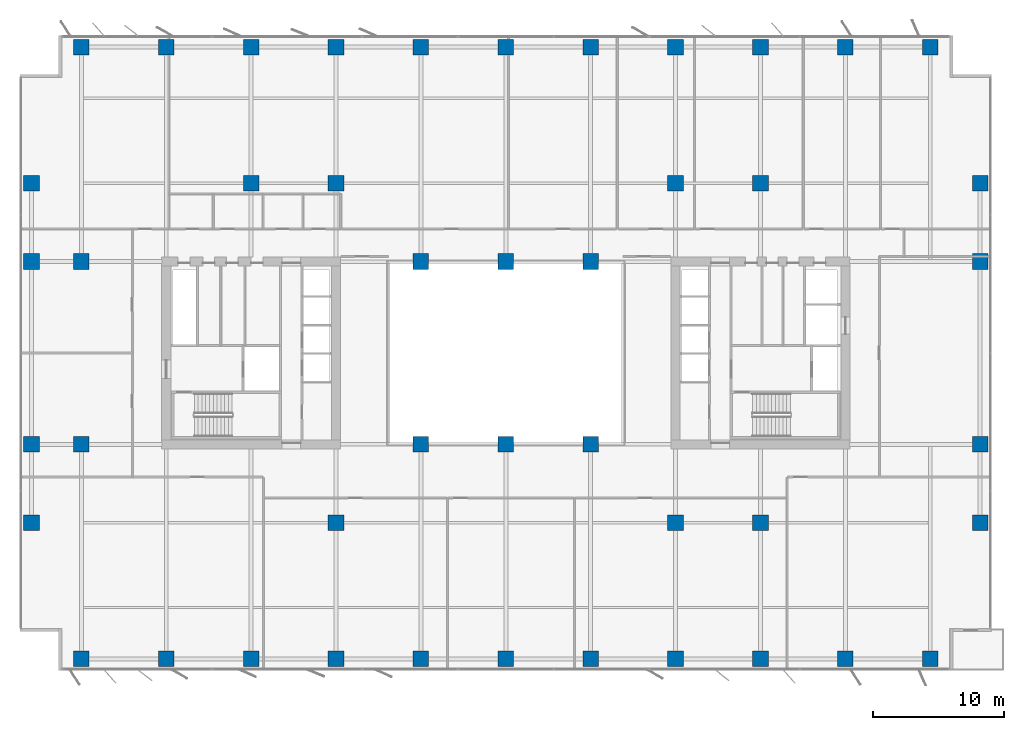
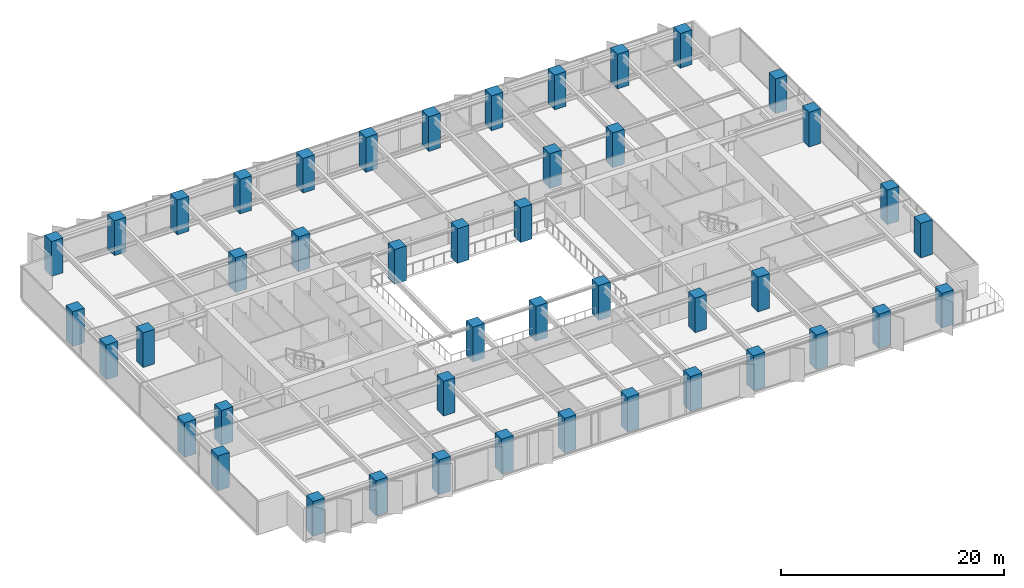
# One storey, part 1 of 20: 45 columns.
"""IFC4 building model written with IfcOpenShell, lengths in metres."""

import ifcopenshell
import ifcopenshell.guid

model = None  # the IFC model being written
_history = None  # IfcOwnerHistory: only IFC2X3 demands one
_inside = {}  # id of a spatial element -> (the spatial element, [elements in it])
_under = {}  # id of a project, library or spatial element -> (it, [spatial elements below it])
_declared = {}  # id of a project -> (the project, [libraries it declares])
_typed = {}  # id of a type object -> (the type object, [elements of that type])
_made_of = {}  # id of a material, layer set ... -> (it, [elements and type objects made of it])


def new_model(schema):
    """Start an empty IFC model of exactly this schema.

    Asked for "IFC4X3", IfcOpenShell would pick the latest addendum, in which some entities
    have other attributes; the version numbers below select the first issue.
    IFC2X3 requires an IfcOwnerHistory on every rooted entity: one is made here for all.
    """
    global model, _history
    if schema == "IFC4X3":
        model = ifcopenshell.file(schema_version=(4, 3, 0, 0))
    else:
        model = ifcopenshell.file(schema=schema)
    _inside.clear()
    _under.clear()
    _declared.clear()
    _typed.clear()
    _made_of.clear()
    _history = None
    if model.schema == "IFC2X3":
        org = make("IfcOrganization", Name="unknown")
        user = make(
            "IfcPersonAndOrganization",
            ThePerson=make("IfcPerson", FamilyName="unknown"),
            TheOrganization=org,
        )
        app = make(
            "IfcApplication",
            ApplicationDeveloper=org,
            Version="unknown",
            ApplicationFullName="unknown",
            ApplicationIdentifier="unknown",
        )
        _history = make(
            "IfcOwnerHistory",
            OwningUser=user,
            OwningApplication=app,
            ChangeAction="ADDED",
            CreationDate=0,
        )
    return model


def make(cls, **values):
    """One entity of the class cls with the attributes given. An attribute that is None is left unset."""
    return model.create_entity(
        cls, **{name: value for name, value in values.items() if value is not None}
    )


def rooted(cls, **values):
    """An entity with a GlobalId (a new one), such as an element, a storey or a relation."""
    return make(cls, GlobalId=ifcopenshell.guid.new(), OwnerHistory=_history, **values)


def si_unit(unit_type, name, prefix=None):
    """IfcSIUnit, for example si_unit("LENGTHUNIT", "METRE", prefix="MILLI")."""
    return make("IfcSIUnit", UnitType=unit_type, Prefix=prefix, Name=name)


def assignment(units):
    """IfcUnitAssignment: the units of a project."""
    return None if units is None else make("IfcUnitAssignment", Units=units)


def point(xyz):
    """IfcCartesianPoint."""
    return None if xyz is None else make("IfcCartesianPoint", Coordinates=xyz)


def direction(xyz):
    """IfcDirection."""
    return None if xyz is None else make("IfcDirection", DirectionRatios=xyz)


def frame(location, z_axis=None, x_axis=None):
    """IfcAxis2Placement3D, a coordinate frame: its origin and axes. An axis left out is left unset."""
    return make(
        "IfcAxis2Placement3D",
        Location=point(location),
        Axis=direction(z_axis),
        RefDirection=direction(x_axis),
    )


def frame_2d(location, x_axis=None):
    """IfcAxis2Placement2D, a coordinate frame in the plane: its origin and x axis."""
    return make(
        "IfcAxis2Placement2D", Location=point(location), RefDirection=direction(x_axis)
    )


def origin():
    """The frame at (0, 0, 0) with its axes left unset."""
    return frame((0.0, 0.0, 0.0))


def origin_2d():
    """The frame at (0, 0) in the plane with its x axis left unset."""
    return frame_2d((0.0, 0.0))


def place(relative_to, where):
    """IfcLocalPlacement: puts the frame where relative to a parent placement (None: the world)."""
    return make(
        "IfcLocalPlacement", PlacementRelTo=relative_to, RelativePlacement=where
    )


def context(
    kind, dimensions, precision=None, world=None, true_north=None, identifier=None
):
    """IfcGeometricRepresentationContext, for example the 3D "Model" context."""
    return make(
        "IfcGeometricRepresentationContext",
        ContextIdentifier=identifier,
        ContextType=kind,
        CoordinateSpaceDimension=dimensions,
        Precision=precision,
        WorldCoordinateSystem=world,
        TrueNorth=true_north,
    )


def subcontext(parent, identifier, kind, view, scale=None):
    """IfcGeometricRepresentationSubContext, for example "Body" below "Model"."""
    return make(
        "IfcGeometricRepresentationSubContext",
        ContextIdentifier=identifier,
        ContextType=kind,
        ParentContext=parent,
        TargetScale=scale,
        TargetView=view,
    )


def project(units=None, contexts=None):
    """IfcProject with its units and contexts."""
    return rooted(
        "IfcProject",
        Name="project",
        RepresentationContexts=contexts,
        UnitsInContext=assignment(units),
    )


def spatial(cls, under=None, at=None, **own):
    """A site, building, storey or space (cls), placed at a placement, below another one or the project."""
    s = rooted(cls, ObjectPlacement=at, **own)
    if under is not None:
        _under.setdefault(under.id(), (under, []))[1].append(s)
    return s


def profile(cls, at=None, kind="AREA", **sizes):
    """A parametric profile (cls). Its sizes go by their IFC names, for example OverallWidth=200.0."""
    return make(cls, ProfileType=kind, Position=at, **sizes)


def rectangle(**sizes):
    """IfcRectangleProfileDef."""
    return profile("IfcRectangleProfileDef", **sizes)


def extrude(swept, where, along, depth):
    """IfcExtrudedAreaSolid: the profile swept, set in the frame where, extruded along a direction by depth."""
    return make(
        "IfcExtrudedAreaSolid",
        SweptArea=swept,
        Position=where,
        ExtrudedDirection=direction(along),
        Depth=depth,
    )


def shape(context_of_items, identifier, shape_type, items):
    """IfcShapeRepresentation: the items that make up one representation, for example the "Body"."""
    return make(
        "IfcShapeRepresentation",
        ContextOfItems=context_of_items,
        RepresentationIdentifier=identifier,
        RepresentationType=shape_type,
        Items=items,
    )


def material(Name=None, Category=None):
    """IfcMaterial."""
    return make("IfcMaterial", Name=Name, Category=Category)


def material_profile(
    of_material, cross_section, Name=None, Category=None, Priority=None
):
    """IfcMaterialProfile: a cross section and its material."""
    return make(
        "IfcMaterialProfile",
        Name=Name,
        Material=of_material,
        Profile=cross_section,
        Priority=Priority,
        Category=Category,
    )


def profile_set(profiles, Name=None, composite=None):
    """IfcMaterialProfileSet."""
    return make(
        "IfcMaterialProfileSet",
        Name=Name,
        MaterialProfiles=profiles,
        CompositeProfile=composite,
    )


def made_of(thing, what):
    """Note that an element or type object is made of a material, layer set ...; save() writes the relation."""
    if what is not None:
        _made_of.setdefault(what.id(), (what, []))[1].append(thing)
    return thing


def type_object(cls, material=None, **own):
    """A type object (cls), such as IfcWallType, which elements share."""
    return made_of(rooted(cls, **own), material)


def element(
    cls,
    number,
    at=None,
    inside=None,
    cuts=None,
    type_object=None,
    material=None,
    context=None,
    identifier="Body",
    shape_type=None,
    held_by="IfcProductDefinitionShape",
    body=None,
    shapes=None,
    **own,
):
    """One element of the class cls, such as IfcWall. Its Tag is "e" and its number.

    at: its placement. inside: the storey or other place that contains it. cuts: it is an
    opening in that element (IfcRelVoidsElement). A single representation is given by context,
    identifier, shape_type and body (its items); several are given by shapes. held_by: the class
    of the entity that holds the representations. save() writes the other relations.
    """
    e = rooted(cls, Tag="e%d" % number, ObjectPlacement=at, **own)
    if body is not None:
        shapes = [shape(context, identifier, shape_type, body)]
    if shapes is not None:
        e.Representation = make(held_by, Representations=shapes)
    if inside is not None:
        _inside.setdefault(inside.id(), (inside, []))[1].append(e)
    if cuts is not None:
        rooted(
            "IfcRelVoidsElement", RelatingBuildingElement=cuts, RelatedOpeningElement=e
        )
    if type_object is not None:
        _typed.setdefault(type_object.id(), (type_object, []))[1].append(e)
    return made_of(e, material)


def aggregate(whole, parts):
    """IfcRelAggregates: a whole, such as a stair, and the parts it consists of."""
    return rooted("IfcRelAggregates", RelatingObject=whole, RelatedObjects=parts)


def save(model, path):
    """Write the relations noted so far, then the file.

    IfcRelAggregates (storeys below a building ...), IfcRelContainedInSpatialStructure (elements
    in a storey), IfcRelDefinesByType, IfcRelAssociatesMaterial and IfcRelDeclares: one each for
    every whole, place, type object, material and project.
    """
    for whole, parts in _under.values():
        aggregate(whole, parts)
    for where, things in _inside.values():
        rooted(
            "IfcRelContainedInSpatialStructure",
            RelatedElements=things,
            RelatingStructure=where,
        )
    for kind, things in _typed.values():
        rooted("IfcRelDefinesByType", RelatedObjects=things, RelatingType=kind)
    for what, things in _made_of.values():
        rooted("IfcRelAssociatesMaterial", RelatedObjects=things, RelatingMaterial=what)
    for by, libraries in _declared.values():
        rooted("IfcRelDeclares", RelatingContext=by, RelatedDefinitions=libraries)
    model.write(path)


model = new_model("IFC4")

# Units and contexts
model_context = context("Model", 3, precision=1e-05, world=origin(), true_north=direction((0.0, 1.0)))
body_context = subcontext(model_context, "Body", "Model", "MODEL_VIEW")
ifc_project = project(units=[si_unit("LENGTHUNIT", "METRE"), si_unit("AREAUNIT", "SQUARE_METRE"), si_unit("VOLUMEUNIT", "CUBIC_METRE"), si_unit("PLANEANGLEUNIT", "RADIAN"), si_unit("MASSUNIT", "GRAM", prefix="KILO")], contexts=[model_context])

# Site, building, storey
site_placement = place(None, origin())
site = spatial("IfcSite", under=ifc_project, at=site_placement, CompositionType="ELEMENT")
building_placement = place(site_placement, origin())
building = spatial("IfcBuilding", under=site, at=building_placement, Name="Putna Gate Headquarters", CompositionType="ELEMENT")
storey_placement = place(building_placement, frame((0.0, 0.0, 112.60009765625)))
storey = spatial("IfcBuildingStorey", under=building, at=storey_placement, Name="L27", CompositionType="ELEMENT", Elevation=112.60009765625)

# Columns
ifc_material = material(Name="Concrete C60/75", Category="concrete")
ifc_material_profile_1 = material_profile(ifc_material, rectangle(XDim=1.199951171875, YDim=1.199951171875, at=origin_2d()), Name="Concrete C60/75")
ifc_profile_set_1 = profile_set([ifc_material_profile_1], Name="Concrete C60/75")
column_type_1 = type_object("IfcColumnType", Name="COL-RC1200-EXT", PredefinedType="COLUMN", material=ifc_profile_set_1)
for number, where, z_axis, x_axis, name in (
    (1, (6.5, 2.580078125, 0.0), (0.0, 0.0, 1.0), (1.0, 0.0, 0.0), "L27 Column CP-S6"),
    (2, (6.5, 49.419921875, 0.0), (0.0, 0.0, 1.0), (1.0, 0.0, 0.0), "L27 Column CP-N6"),
    (3, (13.0, 2.580078125, 0.0), (0.0, 0.0, 1.0), (1.0, 0.0, 0.0), "L27 Column CP-S13"),
    (4, (13.0, 49.419921875, 0.0), (0.0, 0.0, 1.0), (1.0, 0.0, 0.0), "L27 Column CP-N13"),
    (5, (19.5, 2.580078125, 0.0), (0.0, 0.0, 1.0), (1.0, 0.0, 0.0), "L27 Column CP-S19"),
    (6, (19.5, 49.419921875, 0.0), (0.0, 0.0, 1.0), (1.0, 0.0, 0.0), "L27 Column CP-N19"),
    (7, (26.0, 2.580078125, 0.0), (0.0, 0.0, 1.0), (1.0, 0.0, 0.0), "L27 Column CP-S26"),
    (8, (26.0, 49.419921875, 0.0), (0.0, 0.0, 1.0), (1.0, 0.0, 0.0), "L27 Column CP-N26"),
    (9, (32.5, 2.580078125, 0.0), (0.0, 0.0, 1.0), (1.0, 0.0, 0.0), "L27 Column CP-S32"),
    (10, (32.5, 49.419921875, 0.0), (0.0, 0.0, 1.0), (1.0, 0.0, 0.0), "L27 Column CP-N32"),
    (11, (39.0, 2.580078125, 0.0), (0.0, 0.0, 1.0), (1.0, 0.0, 0.0), "L27 Column CP-S39"),
    (12, (39.0, 49.419921875, 0.0), (0.0, 0.0, 1.0), (1.0, 0.0, 0.0), "L27 Column CP-N39"),
    (13, (45.5, 2.580078125, 0.0), (0.0, 0.0, 1.0), (1.0, 0.0, 0.0), "L27 Column CP-S45"),
    (14, (45.5, 49.419921875, 0.0), (0.0, 0.0, 1.0), (1.0, 0.0, 0.0), "L27 Column CP-N45"),
    (15, (52.0, 2.580078125, 0.0), (0.0, 0.0, 1.0), (1.0, 0.0, 0.0), "L27 Column CP-S52"),
    (16, (52.0, 49.419921875, 0.0), (0.0, 0.0, 1.0), (1.0, 0.0, 0.0), "L27 Column CP-N52"),
    (17, (58.5, 2.580078125, 0.0), (0.0, 0.0, 1.0), (1.0, 0.0, 0.0), "L27 Column CP-S58"),
    (18, (58.5, 49.419921875, 0.0), (0.0, 0.0, 1.0), (1.0, 0.0, 0.0), "L27 Column CP-N58"),
    (19, (65.0, 2.580078125, 0.0), (0.0, 0.0, 1.0), (1.0, 0.0, 0.0), "L27 Column CP-S65"),
    (20, (65.0, 49.419921875, 0.0), (0.0, 0.0, 1.0), (1.0, 0.0, 0.0), "L27 Column CP-N65"),
    (21, (71.5, 2.580078125, 0.0), (0.0, 0.0, 1.0), (1.0, 0.0, 0.0), "L27 Column CP-S71"),
    (22, (71.5, 49.419921875, 0.0), (0.0, 0.0, 1.0), (1.0, 0.0, 0.0), "L27 Column CP-N71"),
    (23, (2.679931640625, 13.0, 0.0), (0.0, 0.0, 1.0), (1.0, 0.0, 0.0), "L27 Column CP-W13"),
    (24, (75.320068359375, 13.0, 0.0), (0.0, 0.0, 1.0), (1.0, 0.0, 0.0), "L27 Column CP-E13"),
    (25, (2.679931640625, 19.0, 0.0), (0.0, 0.0, 1.0), (1.0, 0.0, 0.0), "L27 Column CP-W19"),
    (26, (75.320068359375, 19.0, 0.0), (0.0, 0.0, 1.0), (1.0, 0.0, 0.0), "L27 Column CP-E19"),
    (27, (2.679931640625, 33.0, 0.0), (0.0, 0.0, 1.0), (1.0, 0.0, 0.0), "L27 Column CP-W33"),
    (28, (75.320068359375, 33.0, 0.0), (0.0, 0.0, 1.0), (1.0, 0.0, 0.0), "L27 Column CP-E33"),
    (29, (2.679931640625, 39.0, 0.0), (0.0, 0.0, 1.0), (1.0, 0.0, 0.0), "L27 Column CP-W39"),
    (30, (75.320068359375, 39.0, 0.0), (0.0, 0.0, 1.0), (1.0, 0.0, 0.0), "L27 Column CP-E39"),
):
    element("IfcColumn", number, at=place(storey_placement, frame(where, z_axis=z_axis, x_axis=x_axis)), inside=storey, type_object=column_type_1, Name=name, PredefinedType="COLUMN", context=body_context, shape_type="SweptSolid", body=[
        extrude(rectangle(XDim=1.199951171875, YDim=1.199951171875, at=origin_2d()), origin(), (0.0, 0.0, 1.0), 3.7998046875),
    ])
ifc_material_profile_2 = material_profile(ifc_material, rectangle(XDim=1.199951171875, YDim=1.199951171875, at=origin_2d()), Name="Concrete C60/75")
ifc_profile_set_2 = profile_set([ifc_material_profile_2], Name="Concrete C60/75")
column_type_2 = type_object("IfcColumnType", Name="COL-RC1200-INT", PredefinedType="COLUMN", material=ifc_profile_set_2)
for number, where, z_axis, x_axis, name in (
    (31, (19.5, 39.0, 0.0), (0.0, 0.0, 1.0), (1.0, 0.0, 0.0), "L27 Column CSI-WN"),
    (32, (58.5, 13.0, 0.0), (0.0, 0.0, 1.0), (1.0, 0.0, 0.0), "L27 Column CSI-ES"),
    (33, (58.5, 39.0, 0.0), (0.0, 0.0, 1.0), (1.0, 0.0, 0.0), "L27 Column CSI-EN"),
    (34, (6.5, 19.0, 0.0), (0.0, 0.0, 1.0), (1.0, 0.0, 0.0), "L27 Column CSI-WM"),
    (35, (6.5, 33.0, 0.0), (0.0, 0.0, 1.0), (1.0, 0.0, 0.0), "L27 Column CSI-WNW"),
    (36, (32.5, 19.0, 0.0), (0.0, 0.0, 1.0), (1.0, 0.0, 0.0), "L27 Column CAI-S32"),
    (37, (32.5, 33.0, 0.0), (0.0, 0.0, 1.0), (1.0, 0.0, 0.0), "L27 Column CAI-N32"),
    (38, (39.0, 19.0, 0.0), (0.0, 0.0, 1.0), (1.0, 0.0, 0.0), "L27 Column CAI-S39"),
    (39, (39.0, 33.0, 0.0), (0.0, 0.0, 1.0), (1.0, 0.0, 0.0), "L27 Column CAI-N39"),
    (40, (45.5, 19.0, 0.0), (0.0, 0.0, 1.0), (1.0, 0.0, 0.0), "L27 Column CAI-S45"),
    (41, (45.5, 33.0, 0.0), (0.0, 0.0, 1.0), (1.0, 0.0, 0.0), "L27 Column CAI-N45"),
    (42, (26.0, 13.0, 0.0), (0.0, 0.0, 1.0), (1.0, 0.0, 0.0), "L27 Column CAP-WS"),
    (43, (26.0, 39.0, 0.0), (0.0, 0.0, 1.0), (1.0, 0.0, 0.0), "L27 Column CAP-WN"),
    (44, (52.0, 13.0, 0.0), (0.0, 0.0, 1.0), (1.0, 0.0, 0.0), "L27 Column CAP-ES"),
    (45, (52.0, 39.0, 0.0), (0.0, 0.0, 1.0), (1.0, 0.0, 0.0), "L27 Column CAP-EN"),
):
    element("IfcColumn", number, at=place(storey_placement, frame(where, z_axis=z_axis, x_axis=x_axis)), inside=storey, type_object=column_type_2, Name=name, PredefinedType="COLUMN", context=body_context, shape_type="SweptSolid", body=[
        extrude(rectangle(XDim=1.199951171875, YDim=1.199951171875, at=origin_2d()), origin(), (0.0, 0.0, 1.0), 3.7998046875),
    ])

save(model, "model.ifc")
